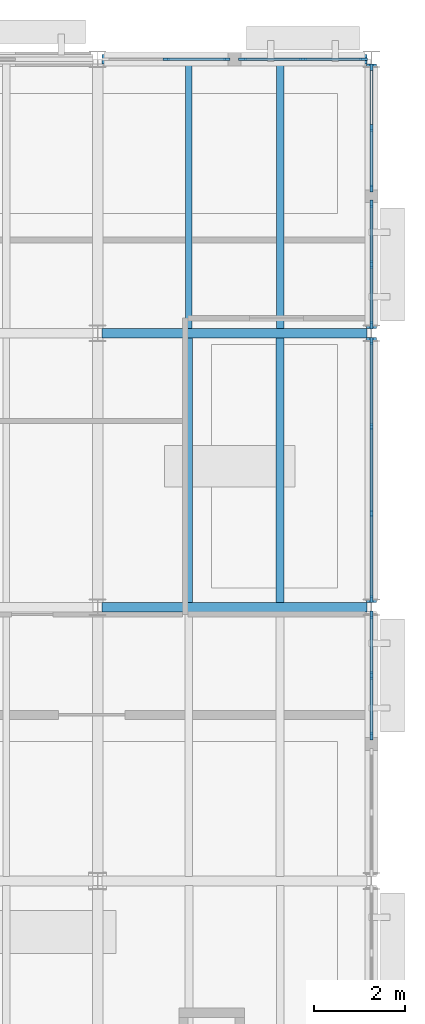
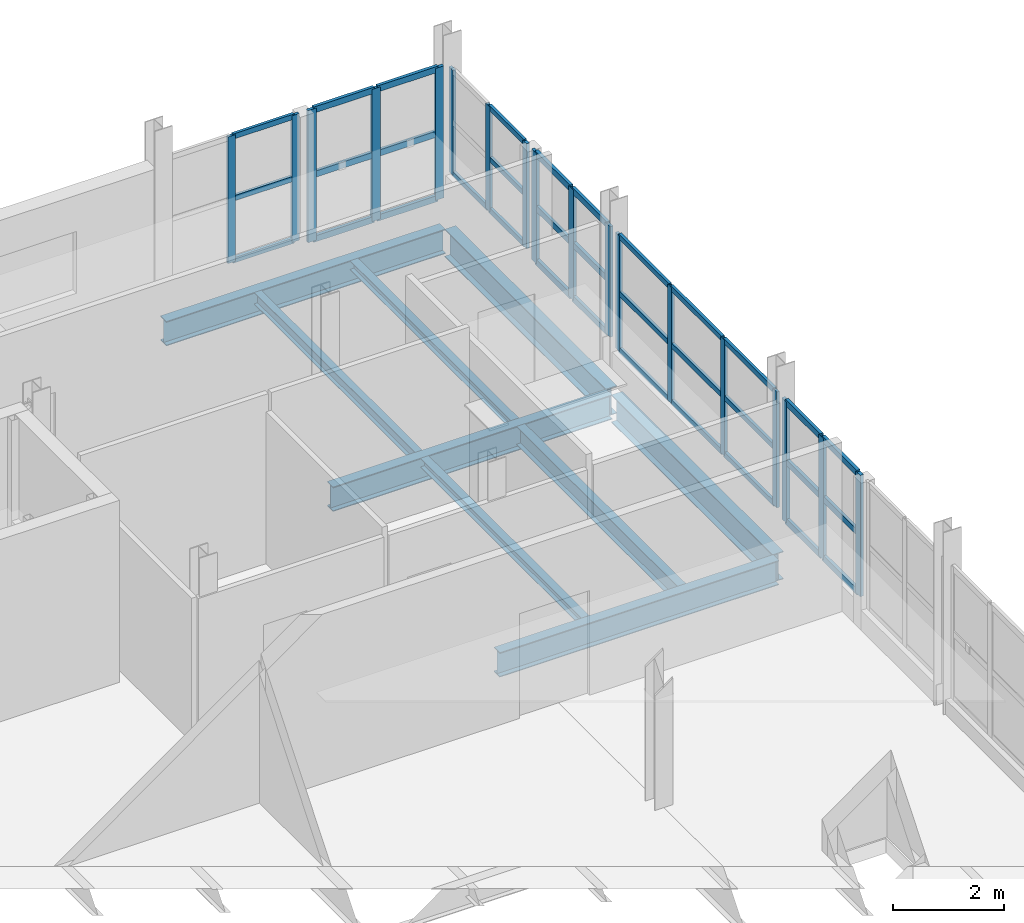
# One storey, part 44 of 92: 52 members, 9 beams, 6 elements without a shape of their own.
"""IFC4 building model written with IfcOpenShell, lengths in metres."""

from ifc_helpers import new_model, si_unit, direction, frame, origin, origin_2d, place, context, subcontext, project, spatial, rectangle, i_section, extrude, material, material_profile, profile_set, type_object, element, aggregate, save


model = new_model("IFC4")

# Units and contexts
model_context = context("Model", 3, precision=1e-05, world=origin(), true_north=direction((0.0, 1.0)))
body_context = subcontext(model_context, "Body", "Model", "MODEL_VIEW")
ifc_project = project(units=[si_unit("LENGTHUNIT", "METRE"), si_unit("AREAUNIT", "SQUARE_METRE"), si_unit("VOLUMEUNIT", "CUBIC_METRE"), si_unit("PLANEANGLEUNIT", "RADIAN"), si_unit("MASSUNIT", "GRAM", prefix="KILO")], contexts=[model_context])

# Site, building, storey
site_placement = place(None, origin())
site = spatial("IfcSite", under=ifc_project, at=site_placement, CompositionType="ELEMENT")
building_placement = place(site_placement, origin())
building = spatial("IfcBuilding", under=site, at=building_placement, Name="Siltcreek Boulevard Central Fire Station", CompositionType="ELEMENT")
storey_placement = place(building_placement, frame((0.0, 0.0, 6.0)))
storey = spatial("IfcBuildingStorey", under=building, at=storey_placement, Name="L02", CompositionType="ELEMENT", Elevation=6.0)

# Beams
ifc_material_1 = material(Name="Structural steel ASTM A992 Gr50", Category="steel")
ifc_material_profile_1 = material_profile(ifc_material_1, i_section(OverallWidth=0.2109375, OverallDepth=0.5390625, WebThickness=0.01171875, FlangeThickness=0.018798828125, at=origin_2d()), Name="W530X109")
ifc_profile_set_1 = profile_set([ifc_material_profile_1], Name="Structural steel ASTM A992 Gr50")
beam_type_1 = type_object("IfcBeamType", Name="BM_W530X109", PredefinedType="BEAM", material=ifc_profile_set_1)
for number, where, z_axis, x_axis, name in (
    (1, (160.300048828125, 100.199951171875, -0.589599609375), (1.0, 0.0, 0.0), (0.0, 1.0, 0.0), "L02 primary steel girder GX-0189"),
    (2, (160.300048828125, 106.199951171875, -0.589599609375), (1.0, 0.0, 0.0), (0.0, 1.0, 0.0), "L02 primary steel girder GX-0196"),
    (3, (160.300048828125, 112.199951171875, -0.589599609375), (1.0, 0.0, 0.0), (0.0, 1.0, 0.0), "L02 primary steel girder GX-0203"),
):
    element("IfcBeam", number, at=place(storey_placement, frame(where, z_axis=z_axis, x_axis=x_axis)), inside=storey, type_object=beam_type_1, Name=name, PredefinedType="BEAM", context=body_context, shape_type="SweptSolid", body=[
        extrude(i_section(OverallWidth=0.2109375, OverallDepth=0.5390625, WebThickness=0.01171875, FlangeThickness=0.018798828125, at=origin_2d()), origin(), (0.0, 0.0, 1.0), 5.800048828125),
    ])
ifc_material_profile_2 = material_profile(ifc_material_1, i_section(OverallWidth=0.22802734375, OverallDepth=0.60791015625, WebThickness=0.01123046875, FlangeThickness=0.017333984375, at=origin_2d()), Name="W610X113")
ifc_profile_set_2 = profile_set([ifc_material_profile_2], Name="Structural steel ASTM A992 Gr50")
beam_type_2 = type_object("IfcBeamType", Name="BM_W610X113", PredefinedType="BEAM", material=ifc_profile_set_2)
for number, where, z_axis, x_axis, name in (
    (4, (166.199951171875, 100.300048828125, -0.6240234375), (0.0, 1.0, 0.0), (-1.0, 0.0, 0.0), "L02 primary steel girder GY-0232"),
    (5, (166.199951171875, 106.300048828125, -0.6240234375), (0.0, 1.0, 0.0), (-1.0, 0.0, 0.0), "L02 primary steel girder GY-0233"),
):
    element("IfcBeam", number, at=place(storey_placement, frame(where, z_axis=z_axis, x_axis=x_axis)), inside=storey, type_object=beam_type_2, Name=name, PredefinedType="BEAM", context=body_context, shape_type="SweptSolid", body=[
        extrude(i_section(OverallWidth=0.22802734375, OverallDepth=0.60791015625, WebThickness=0.01123046875, FlangeThickness=0.017333984375, at=origin_2d()), origin(), (0.0, 0.0, 1.0), 5.800048828125),
    ])

# Curtain wall, members
ifc_material_2 = material(Name="Anodized aluminum and low-E insulated glazing", Category="aluminium")
curtain_wall_type_1 = type_object("IfcCurtainWallType", Name="CW_SYS_20", PredefinedType="USERDEFINED", material=ifc_material_2)
curtain_wall_1_placement = place(storey_placement, origin())
curtain_wall_1 = element("IfcCurtainWall", 6, at=curtain_wall_1_placement, inside=storey, type_object=curtain_wall_type_1, Name="L02 V5 unitised curtain wall CW-139", ObjectType="CURTAIN WALL", PredefinedType="USERDEFINED")
ifc_material_3 = material(Name="Anodized 6063-T6 aluminum framing", Category="aluminium")
ifc_material_profile_3 = material_profile(ifc_material_3, rectangle(XDim=0.06005859375, YDim=0.14990234375, at=origin_2d()), Name="MULL60X150")
ifc_profile_set_3 = profile_set([ifc_material_profile_3], Name="Anodized 6063-T6 aluminum framing")
member_type_1 = type_object("IfcMemberType", Name="CWM_60X150", PredefinedType="MULLION", material=ifc_profile_set_3)
member_1_placement = place(storey_placement, frame((163.030029296875, 112.199951171875, 0.43994140625), z_axis=(0.0, 0.0, 1.0), x_axis=(0.0, -1.0, 0.0)))
member_1 = element("IfcMember", 7, at=member_1_placement, type_object=member_type_1, Name="CW-139 mullion 1", PredefinedType="MULLION", context=body_context, shape_type="SweptSolid", body=[
    extrude(rectangle(XDim=0.06005859375, YDim=0.14990234375, at=origin_2d()), origin(), (0.0, 0.0, 1.0), 2.782958984375),
])
member_2_placement = place(storey_placement, frame((161.702392578125, 112.199951171875, 0.43994140625), z_axis=(0.0, 0.0, 1.0), x_axis=(0.0, -1.0, 0.0)))
member_2 = element("IfcMember", 8, at=member_2_placement, type_object=member_type_1, Name="CW-139 mullion 2", PredefinedType="MULLION", context=body_context, shape_type="SweptSolid", body=[
    extrude(rectangle(XDim=0.06005859375, YDim=0.14990234375, at=origin_2d()), origin(), (0.0, 0.0, 1.0), 2.782958984375),
])

curtain_wall_type_2 = type_object("IfcCurtainWallType", Name="CW_SYS_28", PredefinedType="USERDEFINED", material=ifc_material_2)
curtain_wall_2_placement = place(storey_placement, origin())
curtain_wall_2 = element("IfcCurtainWall", 9, at=curtain_wall_2_placement, inside=storey, type_object=curtain_wall_type_2, Name="L02 V5 unitised curtain wall CW-147", ObjectType="CURTAIN WALL", PredefinedType="USERDEFINED")
member_3_placement = place(storey_placement, frame((166.199951171875, 100.375, 0.679931640625), z_axis=(0.0, 0.0, 1.0), x_axis=(-1.0, 0.0, 0.0)))
member_3 = element("IfcMember", 10, at=member_3_placement, type_object=member_type_1, Name="CW-147 mullion 1", PredefinedType="MULLION", context=body_context, shape_type="SweptSolid", body=[
    extrude(rectangle(XDim=0.06005859375, YDim=0.14990234375, at=origin_2d()), origin(), (0.0, 0.0, 1.0), 2.547119140625),
])
member_4_placement = place(storey_placement, frame((166.199951171875, 102.248291015625, 0.679931640625), z_axis=(0.0, 0.0, 1.0), x_axis=(-1.0, 0.0, 0.0)))
member_4 = element("IfcMember", 11, at=member_4_placement, type_object=member_type_1, Name="CW-147 mullion 2", PredefinedType="MULLION", context=body_context, shape_type="SweptSolid", body=[
    extrude(rectangle(XDim=0.06005859375, YDim=0.14990234375, at=origin_2d()), origin(), (0.0, 0.0, 1.0), 2.547119140625),
])
member_5_placement = place(storey_placement, frame((166.199951171875, 104.151611328125, 0.679931640625), z_axis=(0.0, 0.0, 1.0), x_axis=(-1.0, 0.0, 0.0)))
member_5 = element("IfcMember", 12, at=member_5_placement, type_object=member_type_1, Name="CW-147 mullion 3", PredefinedType="MULLION", context=body_context, shape_type="SweptSolid", body=[
    extrude(rectangle(XDim=0.06005859375, YDim=0.14990234375, at=origin_2d()), origin(), (0.0, 0.0, 1.0), 2.547119140625),
])
member_6_placement = place(storey_placement, frame((166.199951171875, 106.02490234375, 0.679931640625), z_axis=(0.0, 0.0, 1.0), x_axis=(-1.0, 0.0, 0.0)))
member_6 = element("IfcMember", 13, at=member_6_placement, type_object=member_type_1, Name="CW-147 mullion 4", PredefinedType="MULLION", context=body_context, shape_type="SweptSolid", body=[
    extrude(rectangle(XDim=0.06005859375, YDim=0.14990234375, at=origin_2d()), origin(), (0.0, 0.0, 1.0), 2.547119140625),
])

curtain_wall_type_3 = type_object("IfcCurtainWallType", Name="CW_SYS_30", PredefinedType="USERDEFINED", material=ifc_material_2)
curtain_wall_3_placement = place(storey_placement, origin())
curtain_wall_3 = element("IfcCurtainWall", 14, at=curtain_wall_3_placement, inside=storey, type_object=curtain_wall_type_3, Name="L02 V5 unitised curtain wall CW-149", ObjectType="CURTAIN WALL", PredefinedType="USERDEFINED")
member_7_placement = place(storey_placement, frame((166.199951171875, 109.3701171875, 0.919921875), z_axis=(0.0, 0.0, 1.0), x_axis=(-1.0, 0.0, 0.0)))
member_7 = element("IfcMember", 15, at=member_7_placement, type_object=member_type_1, Name="CW-149 mullion 1", PredefinedType="MULLION", context=body_context, shape_type="SweptSolid", body=[
    extrude(rectangle(XDim=0.06005859375, YDim=0.14990234375, at=origin_2d()), origin(), (0.0, 0.0, 1.0), 2.30712890625),
])
member_8_placement = place(storey_placement, frame((166.199951171875, 110.697509765625, 0.919921875), z_axis=(0.0, 0.0, 1.0), x_axis=(-1.0, 0.0, 0.0)))
member_8 = element("IfcMember", 16, at=member_8_placement, type_object=member_type_1, Name="CW-149 mullion 2", PredefinedType="MULLION", context=body_context, shape_type="SweptSolid", body=[
    extrude(rectangle(XDim=0.06005859375, YDim=0.14990234375, at=origin_2d()), origin(), (0.0, 0.0, 1.0), 2.30712890625),
])
member_9_placement = place(storey_placement, frame((166.199951171875, 112.02490234375, 0.919921875), z_axis=(0.0, 0.0, 1.0), x_axis=(-1.0, 0.0, 0.0)))
member_9 = element("IfcMember", 17, at=member_9_placement, type_object=member_type_1, Name="CW-149 mullion 3", PredefinedType="MULLION", context=body_context, shape_type="SweptSolid", body=[
    extrude(rectangle(XDim=0.06005859375, YDim=0.14990234375, at=origin_2d()), origin(), (0.0, 0.0, 1.0), 2.30712890625),
])

curtain_wall_type_4 = type_object("IfcCurtainWallType", Name="CW_SYS_19", PredefinedType="USERDEFINED", material=ifc_material_2)
curtain_wall_4_placement = place(storey_placement, origin())
curtain_wall_4 = element("IfcCurtainWall", 18, at=curtain_wall_4_placement, inside=storey, type_object=curtain_wall_type_4, Name="L02 V5 unitised curtain wall CW-138", ObjectType="CURTAIN WALL", PredefinedType="USERDEFINED")
ifc_material_profile_4 = material_profile(ifc_material_3, rectangle(XDim=0.06494140625, YDim=0.175048828125, at=origin_2d()), Name="MULL65X175")
ifc_profile_set_4 = profile_set([ifc_material_profile_4], Name="Anodized 6063-T6 aluminum framing")
member_type_2 = type_object("IfcMemberType", Name="CWM_65X175", PredefinedType="MULLION", material=ifc_profile_set_4)
member_10_placement = place(storey_placement, frame((166.0224609375, 112.199951171875, 0.320068359375), z_axis=(0.0, 0.0, 1.0), x_axis=(0.0, -1.0, 0.0)))
member_10 = element("IfcMember", 19, at=member_10_placement, type_object=member_type_2, Name="CW-138 mullion 1", PredefinedType="MULLION", context=body_context, shape_type="SweptSolid", body=[
    extrude(rectangle(XDim=0.06494140625, YDim=0.175048828125, at=origin_2d()), origin(), (0.0, 0.0, 1.0), 2.90283203125),
])
member_11_placement = place(storey_placement, frame((164.697509765625, 112.199951171875, 0.320068359375), z_axis=(0.0, 0.0, 1.0), x_axis=(0.0, -1.0, 0.0)))
member_11 = element("IfcMember", 20, at=member_11_placement, type_object=member_type_2, Name="CW-138 mullion 2", PredefinedType="MULLION", context=body_context, shape_type="SweptSolid", body=[
    extrude(rectangle(XDim=0.06494140625, YDim=0.175048828125, at=origin_2d()), origin(), (0.0, 0.0, 1.0), 2.90283203125),
])
member_12_placement = place(storey_placement, frame((163.37255859375, 112.199951171875, 0.320068359375), z_axis=(0.0, 0.0, 1.0), x_axis=(0.0, -1.0, 0.0)))
member_12 = element("IfcMember", 21, at=member_12_placement, type_object=member_type_2, Name="CW-138 mullion 3", PredefinedType="MULLION", context=body_context, shape_type="SweptSolid", body=[
    extrude(rectangle(XDim=0.06494140625, YDim=0.175048828125, at=origin_2d()), origin(), (0.0, 0.0, 1.0), 2.90283203125),
])

curtain_wall_type_5 = type_object("IfcCurtainWallType", Name="CW_SYS_27", PredefinedType="USERDEFINED", material=ifc_material_2)
curtain_wall_5_placement = place(storey_placement, origin())
curtain_wall_5 = element("IfcCurtainWall", 22, at=curtain_wall_5_placement, inside=storey, type_object=curtain_wall_type_5, Name="L02 V5 unitised curtain wall CW-146", ObjectType="CURTAIN WALL", PredefinedType="USERDEFINED")
member_13_placement = place(storey_placement, frame((166.199951171875, 97.37255859375, 0.56005859375), z_axis=(0.0, 0.0, 1.0), x_axis=(-1.0, 0.0, 0.0)))
member_13 = element("IfcMember", 23, at=member_13_placement, type_object=member_type_2, Name="CW-146 mullion 1", PredefinedType="MULLION", context=body_context, shape_type="SweptSolid", body=[
    extrude(rectangle(XDim=0.06494140625, YDim=0.175048828125, at=origin_2d()), origin(), (0.0, 0.0, 1.0), 2.6669921875),
])
member_14_placement = place(storey_placement, frame((166.199951171875, 98.697509765625, 0.56005859375), z_axis=(0.0, 0.0, 1.0), x_axis=(-1.0, 0.0, 0.0)))
member_14 = element("IfcMember", 24, at=member_14_placement, type_object=member_type_2, Name="CW-146 mullion 2", PredefinedType="MULLION", context=body_context, shape_type="SweptSolid", body=[
    extrude(rectangle(XDim=0.06494140625, YDim=0.175048828125, at=origin_2d()), origin(), (0.0, 0.0, 1.0), 2.6669921875),
])
member_15_placement = place(storey_placement, frame((166.199951171875, 100.0224609375, 0.56005859375), z_axis=(0.0, 0.0, 1.0), x_axis=(-1.0, 0.0, 0.0)))
member_15 = element("IfcMember", 25, at=member_15_placement, type_object=member_type_2, Name="CW-146 mullion 3", PredefinedType="MULLION", context=body_context, shape_type="SweptSolid", body=[
    extrude(rectangle(XDim=0.06494140625, YDim=0.175048828125, at=origin_2d()), origin(), (0.0, 0.0, 1.0), 2.6669921875),
])

curtain_wall_type_6 = type_object("IfcCurtainWallType", Name="CW_SYS_29", PredefinedType="USERDEFINED", material=ifc_material_2)
curtain_wall_6_placement = place(storey_placement, origin())
curtain_wall_6 = element("IfcCurtainWall", 26, at=curtain_wall_6_placement, inside=storey, type_object=curtain_wall_type_6, Name="L02 V5 unitised curtain wall CW-148", ObjectType="CURTAIN WALL", PredefinedType="USERDEFINED")
member_16_placement = place(storey_placement, frame((166.199951171875, 106.37744140625, 0.800048828125), z_axis=(0.0, 0.0, 1.0), x_axis=(-1.0, 0.0, 0.0)))
member_16 = element("IfcMember", 27, at=member_16_placement, type_object=member_type_2, Name="CW-148 mullion 1", PredefinedType="MULLION", context=body_context, shape_type="SweptSolid", body=[
    extrude(rectangle(XDim=0.06494140625, YDim=0.175048828125, at=origin_2d()), origin(), (0.0, 0.0, 1.0), 2.427001953125),
])
member_17_placement = place(storey_placement, frame((166.199951171875, 107.702392578125, 0.800048828125), z_axis=(0.0, 0.0, 1.0), x_axis=(-1.0, 0.0, 0.0)))
member_17 = element("IfcMember", 28, at=member_17_placement, type_object=member_type_2, Name="CW-148 mullion 2", PredefinedType="MULLION", context=body_context, shape_type="SweptSolid", body=[
    extrude(rectangle(XDim=0.06494140625, YDim=0.175048828125, at=origin_2d()), origin(), (0.0, 0.0, 1.0), 2.427001953125),
])
member_18_placement = place(storey_placement, frame((166.199951171875, 109.027587890625, 0.800048828125), z_axis=(0.0, 0.0, 1.0), x_axis=(-1.0, 0.0, 0.0)))
member_18 = element("IfcMember", 29, at=member_18_placement, type_object=member_type_2, Name="CW-148 mullion 3", PredefinedType="MULLION", context=body_context, shape_type="SweptSolid", body=[
    extrude(rectangle(XDim=0.06494140625, YDim=0.175048828125, at=origin_2d()), origin(), (0.0, 0.0, 1.0), 2.427001953125),
])

# Member
ifc_material_profile_5 = material_profile(ifc_material_3, rectangle(XDim=0.06005859375, YDim=0.114990234375, at=origin_2d()), Name="TRAN60X115")
ifc_profile_set_5 = profile_set([ifc_material_profile_5], Name="Anodized 6063-T6 aluminum framing")
member_type_3 = type_object("IfcMemberType", Name="CWT_60X115", PredefinedType="USERDEFINED", material=ifc_profile_set_5)
member_19_placement = place(storey_placement, frame((163.0, 112.199951171875, 0.469970703125), z_axis=(-1.0, 0.0, 0.0), x_axis=(0.0, -1.0, 0.0)))
member_19 = element("IfcMember", 30, at=member_19_placement, type_object=member_type_3, Name="CW-139 transom 1.1", ObjectType="TRANSOM", PredefinedType="USERDEFINED", context=body_context, shape_type="SweptSolid", body=[
    extrude(rectangle(XDim=0.06005859375, YDim=0.114990234375, at=origin_2d()), origin(), (0.0, 0.0, 1.0), 1.267578125),
])

member_20_placement = place(storey_placement, frame((163.0, 112.199951171875, 1.83154296875), z_axis=(-1.0, 0.0, 0.0), x_axis=(0.0, -1.0, 0.0)))
member_20 = element("IfcMember", 31, at=member_20_placement, type_object=member_type_3, Name="CW-139 transom 1.2", ObjectType="TRANSOM", PredefinedType="USERDEFINED", context=body_context, shape_type="SweptSolid", body=[
    extrude(rectangle(XDim=0.06005859375, YDim=0.114990234375, at=origin_2d()), origin(), (0.0, 0.0, 1.0), 1.267578125),
])

member_21_placement = place(storey_placement, frame((163.0, 112.199951171875, 3.193115234375), z_axis=(-1.0, 0.0, 0.0), x_axis=(0.0, -1.0, 0.0)))
member_21 = element("IfcMember", 32, at=member_21_placement, type_object=member_type_3, Name="CW-139 transom 1.3", ObjectType="TRANSOM", PredefinedType="USERDEFINED", context=body_context, shape_type="SweptSolid", body=[
    extrude(rectangle(XDim=0.06005859375, YDim=0.114990234375, at=origin_2d()), origin(), (0.0, 0.0, 1.0), 1.267578125),
])

aggregate(curtain_wall_1, [member_1, member_2, member_19, member_20, member_21])

member_22_placement = place(storey_placement, frame((166.199951171875, 100.405029296875, 0.7099609375), z_axis=(0.0, 1.0, 0.0), x_axis=(-1.0, 0.0, 0.0)))
member_22 = element("IfcMember", 33, at=member_22_placement, type_object=member_type_3, Name="CW-147 transom 1.1", ObjectType="TRANSOM", PredefinedType="USERDEFINED", context=body_context, shape_type="SweptSolid", body=[
    extrude(rectangle(XDim=0.06005859375, YDim=0.114990234375, at=origin_2d()), origin(), (0.0, 0.0, 1.0), 1.813232421875),
])

member_23_placement = place(storey_placement, frame((166.199951171875, 100.405029296875, 1.95361328125), z_axis=(0.0, 1.0, 0.0), x_axis=(-1.0, 0.0, 0.0)))
member_23 = element("IfcMember", 34, at=member_23_placement, type_object=member_type_3, Name="CW-147 transom 1.2", ObjectType="TRANSOM", PredefinedType="USERDEFINED", context=body_context, shape_type="SweptSolid", body=[
    extrude(rectangle(XDim=0.06005859375, YDim=0.114990234375, at=origin_2d()), origin(), (0.0, 0.0, 1.0), 1.813232421875),
])

member_24_placement = place(storey_placement, frame((166.199951171875, 100.405029296875, 3.197021484375), z_axis=(0.0, 1.0, 0.0), x_axis=(-1.0, 0.0, 0.0)))
member_24 = element("IfcMember", 35, at=member_24_placement, type_object=member_type_3, Name="CW-147 transom 1.3", ObjectType="TRANSOM", PredefinedType="USERDEFINED", context=body_context, shape_type="SweptSolid", body=[
    extrude(rectangle(XDim=0.06005859375, YDim=0.114990234375, at=origin_2d()), origin(), (0.0, 0.0, 1.0), 1.813232421875),
])

member_25_placement = place(storey_placement, frame((166.199951171875, 102.2783203125, 0.7099609375), z_axis=(0.0, 1.0, 0.0), x_axis=(-1.0, 0.0, 0.0)))
member_25 = element("IfcMember", 36, at=member_25_placement, type_object=member_type_3, Name="CW-147 transom 2.1", ObjectType="TRANSOM", PredefinedType="USERDEFINED", context=body_context, shape_type="SweptSolid", body=[
    extrude(rectangle(XDim=0.06005859375, YDim=0.114990234375, at=origin_2d()), origin(), (0.0, 0.0, 1.0), 1.84326171875),
])

member_26_placement = place(storey_placement, frame((166.199951171875, 102.2783203125, 1.95361328125), z_axis=(0.0, 1.0, 0.0), x_axis=(-1.0, 0.0, 0.0)))
member_26 = element("IfcMember", 37, at=member_26_placement, type_object=member_type_3, Name="CW-147 transom 2.2", ObjectType="TRANSOM", PredefinedType="USERDEFINED", context=body_context, shape_type="SweptSolid", body=[
    extrude(rectangle(XDim=0.06005859375, YDim=0.114990234375, at=origin_2d()), origin(), (0.0, 0.0, 1.0), 1.84326171875),
])

member_27_placement = place(storey_placement, frame((166.199951171875, 102.2783203125, 3.197021484375), z_axis=(0.0, 1.0, 0.0), x_axis=(-1.0, 0.0, 0.0)))
member_27 = element("IfcMember", 38, at=member_27_placement, type_object=member_type_3, Name="CW-147 transom 2.3", ObjectType="TRANSOM", PredefinedType="USERDEFINED", context=body_context, shape_type="SweptSolid", body=[
    extrude(rectangle(XDim=0.06005859375, YDim=0.114990234375, at=origin_2d()), origin(), (0.0, 0.0, 1.0), 1.84326171875),
])

member_28_placement = place(storey_placement, frame((166.199951171875, 104.181640625, 0.7099609375), z_axis=(0.0, 1.0, 0.0), x_axis=(-1.0, 0.0, 0.0)))
member_28 = element("IfcMember", 39, at=member_28_placement, type_object=member_type_3, Name="CW-147 transom 3.1", ObjectType="TRANSOM", PredefinedType="USERDEFINED", context=body_context, shape_type="SweptSolid", body=[
    extrude(rectangle(XDim=0.06005859375, YDim=0.114990234375, at=origin_2d()), origin(), (0.0, 0.0, 1.0), 1.8134765625),
])

member_29_placement = place(storey_placement, frame((166.199951171875, 104.181640625, 1.95361328125), z_axis=(0.0, 1.0, 0.0), x_axis=(-1.0, 0.0, 0.0)))
member_29 = element("IfcMember", 40, at=member_29_placement, type_object=member_type_3, Name="CW-147 transom 3.2", ObjectType="TRANSOM", PredefinedType="USERDEFINED", context=body_context, shape_type="SweptSolid", body=[
    extrude(rectangle(XDim=0.06005859375, YDim=0.114990234375, at=origin_2d()), origin(), (0.0, 0.0, 1.0), 1.8134765625),
])

member_30_placement = place(storey_placement, frame((166.199951171875, 104.181640625, 3.197021484375), z_axis=(0.0, 1.0, 0.0), x_axis=(-1.0, 0.0, 0.0)))
member_30 = element("IfcMember", 41, at=member_30_placement, type_object=member_type_3, Name="CW-147 transom 3.3", ObjectType="TRANSOM", PredefinedType="USERDEFINED", context=body_context, shape_type="SweptSolid", body=[
    extrude(rectangle(XDim=0.06005859375, YDim=0.114990234375, at=origin_2d()), origin(), (0.0, 0.0, 1.0), 1.8134765625),
])

aggregate(curtain_wall_2, [member_3, member_4, member_5, member_6, member_22, member_23, member_24, member_25, member_26, member_27, member_28, member_29, member_30])

member_31_placement = place(storey_placement, frame((166.199951171875, 109.39990234375, 0.949951171875), z_axis=(0.0, 1.0, 0.0), x_axis=(-1.0, 0.0, 0.0)))
member_31 = element("IfcMember", 42, at=member_31_placement, type_object=member_type_3, Name="CW-149 transom 1.1", ObjectType="TRANSOM", PredefinedType="USERDEFINED", context=body_context, shape_type="SweptSolid", body=[
    extrude(rectangle(XDim=0.06005859375, YDim=0.114990234375, at=origin_2d()), origin(), (0.0, 0.0, 1.0), 1.267578125),
])

member_32_placement = place(storey_placement, frame((166.199951171875, 109.39990234375, 2.073486328125), z_axis=(0.0, 1.0, 0.0), x_axis=(-1.0, 0.0, 0.0)))
member_32 = element("IfcMember", 43, at=member_32_placement, type_object=member_type_3, Name="CW-149 transom 1.2", ObjectType="TRANSOM", PredefinedType="USERDEFINED", context=body_context, shape_type="SweptSolid", body=[
    extrude(rectangle(XDim=0.06005859375, YDim=0.114990234375, at=origin_2d()), origin(), (0.0, 0.0, 1.0), 1.267578125),
])

member_33_placement = place(storey_placement, frame((166.199951171875, 109.39990234375, 3.197021484375), z_axis=(0.0, 1.0, 0.0), x_axis=(-1.0, 0.0, 0.0)))
member_33 = element("IfcMember", 44, at=member_33_placement, type_object=member_type_3, Name="CW-149 transom 1.3", ObjectType="TRANSOM", PredefinedType="USERDEFINED", context=body_context, shape_type="SweptSolid", body=[
    extrude(rectangle(XDim=0.06005859375, YDim=0.114990234375, at=origin_2d()), origin(), (0.0, 0.0, 1.0), 1.267578125),
])

member_34_placement = place(storey_placement, frame((166.199951171875, 110.7275390625, 0.949951171875), z_axis=(0.0, 1.0, 0.0), x_axis=(-1.0, 0.0, 0.0)))
member_34 = element("IfcMember", 45, at=member_34_placement, type_object=member_type_3, Name="CW-149 transom 2.1", ObjectType="TRANSOM", PredefinedType="USERDEFINED", context=body_context, shape_type="SweptSolid", body=[
    extrude(rectangle(XDim=0.06005859375, YDim=0.114990234375, at=origin_2d()), origin(), (0.0, 0.0, 1.0), 1.267578125),
])

aggregate(curtain_wall_3, [member_7, member_8, member_9, member_31, member_32, member_33, member_34])

ifc_material_profile_6 = material_profile(ifc_material_3, rectangle(XDim=0.06494140625, YDim=0.135009765625, at=origin_2d()), Name="TRAN65X135")
ifc_profile_set_6 = profile_set([ifc_material_profile_6], Name="Anodized 6063-T6 aluminum framing")
member_type_4 = type_object("IfcMemberType", Name="CWT_65X135", PredefinedType="USERDEFINED", material=ifc_profile_set_6)
member_35_placement = place(storey_placement, frame((165.989990234375, 112.199951171875, 0.3525390625), z_axis=(-1.0, 0.0, 0.0), x_axis=(0.0, -1.0, 0.0)))
member_35 = element("IfcMember", 46, at=member_35_placement, type_object=member_type_4, Name="CW-138 transom 1.1", ObjectType="TRANSOM", PredefinedType="USERDEFINED", context=body_context, shape_type="SweptSolid", body=[
    extrude(rectangle(XDim=0.06494140625, YDim=0.135009765625, at=origin_2d()), origin(), (0.0, 0.0, 1.0), 1.260009765625),
])

member_36_placement = place(storey_placement, frame((165.989990234375, 112.199951171875, 1.771484375), z_axis=(-1.0, 0.0, 0.0), x_axis=(0.0, -1.0, 0.0)))
member_36 = element("IfcMember", 47, at=member_36_placement, type_object=member_type_4, Name="CW-138 transom 1.2", ObjectType="TRANSOM", PredefinedType="USERDEFINED", context=body_context, shape_type="SweptSolid", body=[
    extrude(rectangle(XDim=0.06494140625, YDim=0.135009765625, at=origin_2d()), origin(), (0.0, 0.0, 1.0), 1.260009765625),
])

member_37_placement = place(storey_placement, frame((165.989990234375, 112.199951171875, 3.1904296875), z_axis=(-1.0, 0.0, 0.0), x_axis=(0.0, -1.0, 0.0)))
member_37 = element("IfcMember", 48, at=member_37_placement, type_object=member_type_4, Name="CW-138 transom 1.3", ObjectType="TRANSOM", PredefinedType="USERDEFINED", context=body_context, shape_type="SweptSolid", body=[
    extrude(rectangle(XDim=0.06494140625, YDim=0.135009765625, at=origin_2d()), origin(), (0.0, 0.0, 1.0), 1.260009765625),
])

member_38_placement = place(storey_placement, frame((164.6650390625, 112.199951171875, 0.3525390625), z_axis=(-1.0, 0.0, 0.0), x_axis=(0.0, -1.0, 0.0)))
member_38 = element("IfcMember", 49, at=member_38_placement, type_object=member_type_4, Name="CW-138 transom 2.1", ObjectType="TRANSOM", PredefinedType="USERDEFINED", context=body_context, shape_type="SweptSolid", body=[
    extrude(rectangle(XDim=0.06494140625, YDim=0.135009765625, at=origin_2d()), origin(), (0.0, 0.0, 1.0), 1.260009765625),
])

member_39_placement = place(storey_placement, frame((164.6650390625, 112.199951171875, 1.771484375), z_axis=(-1.0, 0.0, 0.0), x_axis=(0.0, -1.0, 0.0)))
member_39 = element("IfcMember", 50, at=member_39_placement, type_object=member_type_4, Name="CW-138 transom 2.2", ObjectType="TRANSOM", PredefinedType="USERDEFINED", context=body_context, shape_type="SweptSolid", body=[
    extrude(rectangle(XDim=0.06494140625, YDim=0.135009765625, at=origin_2d()), origin(), (0.0, 0.0, 1.0), 1.260009765625),
])

member_40_placement = place(storey_placement, frame((164.6650390625, 112.199951171875, 3.1904296875), z_axis=(-1.0, 0.0, 0.0), x_axis=(0.0, -1.0, 0.0)))
member_40 = element("IfcMember", 51, at=member_40_placement, type_object=member_type_4, Name="CW-138 transom 2.3", ObjectType="TRANSOM", PredefinedType="USERDEFINED", context=body_context, shape_type="SweptSolid", body=[
    extrude(rectangle(XDim=0.06494140625, YDim=0.135009765625, at=origin_2d()), origin(), (0.0, 0.0, 1.0), 1.260009765625),
])

aggregate(curtain_wall_4, [member_10, member_11, member_12, member_35, member_36, member_37, member_38, member_39, member_40])

member_41_placement = place(storey_placement, frame((166.199951171875, 97.405029296875, 0.592529296875), z_axis=(0.0, 1.0, 0.0), x_axis=(-1.0, 0.0, 0.0)))
member_41 = element("IfcMember", 52, at=member_41_placement, type_object=member_type_4, Name="CW-146 transom 1.1", ObjectType="TRANSOM", PredefinedType="USERDEFINED", context=body_context, shape_type="SweptSolid", body=[
    extrude(rectangle(XDim=0.06494140625, YDim=0.135009765625, at=origin_2d()), origin(), (0.0, 0.0, 1.0), 1.260009765625),
])

member_42_placement = place(storey_placement, frame((166.199951171875, 97.405029296875, 1.8935546875), z_axis=(0.0, 1.0, 0.0), x_axis=(-1.0, 0.0, 0.0)))
member_42 = element("IfcMember", 53, at=member_42_placement, type_object=member_type_4, Name="CW-146 transom 1.2", ObjectType="TRANSOM", PredefinedType="USERDEFINED", context=body_context, shape_type="SweptSolid", body=[
    extrude(rectangle(XDim=0.06494140625, YDim=0.135009765625, at=origin_2d()), origin(), (0.0, 0.0, 1.0), 1.260009765625),
])

member_43_placement = place(storey_placement, frame((166.199951171875, 97.405029296875, 3.194580078125), z_axis=(0.0, 1.0, 0.0), x_axis=(-1.0, 0.0, 0.0)))
member_43 = element("IfcMember", 54, at=member_43_placement, type_object=member_type_4, Name="CW-146 transom 1.3", ObjectType="TRANSOM", PredefinedType="USERDEFINED", context=body_context, shape_type="SweptSolid", body=[
    extrude(rectangle(XDim=0.06494140625, YDim=0.135009765625, at=origin_2d()), origin(), (0.0, 0.0, 1.0), 1.260009765625),
])

member_44_placement = place(storey_placement, frame((166.199951171875, 98.72998046875, 0.592529296875), z_axis=(0.0, 1.0, 0.0), x_axis=(-1.0, 0.0, 0.0)))
member_44 = element("IfcMember", 55, at=member_44_placement, type_object=member_type_4, Name="CW-146 transom 2.1", ObjectType="TRANSOM", PredefinedType="USERDEFINED", context=body_context, shape_type="SweptSolid", body=[
    extrude(rectangle(XDim=0.06494140625, YDim=0.135009765625, at=origin_2d()), origin(), (0.0, 0.0, 1.0), 1.260009765625),
])

member_45_placement = place(storey_placement, frame((166.199951171875, 98.72998046875, 1.8935546875), z_axis=(0.0, 1.0, 0.0), x_axis=(-1.0, 0.0, 0.0)))
member_45 = element("IfcMember", 56, at=member_45_placement, type_object=member_type_4, Name="CW-146 transom 2.2", ObjectType="TRANSOM", PredefinedType="USERDEFINED", context=body_context, shape_type="SweptSolid", body=[
    extrude(rectangle(XDim=0.06494140625, YDim=0.135009765625, at=origin_2d()), origin(), (0.0, 0.0, 1.0), 1.260009765625),
])

member_46_placement = place(storey_placement, frame((166.199951171875, 98.72998046875, 3.194580078125), z_axis=(0.0, 1.0, 0.0), x_axis=(-1.0, 0.0, 0.0)))
member_46 = element("IfcMember", 57, at=member_46_placement, type_object=member_type_4, Name="CW-146 transom 2.3", ObjectType="TRANSOM", PredefinedType="USERDEFINED", context=body_context, shape_type="SweptSolid", body=[
    extrude(rectangle(XDim=0.06494140625, YDim=0.135009765625, at=origin_2d()), origin(), (0.0, 0.0, 1.0), 1.260009765625),
])

aggregate(curtain_wall_5, [member_13, member_14, member_15, member_41, member_42, member_43, member_44, member_45, member_46])

member_47_placement = place(storey_placement, frame((166.199951171875, 106.409912109375, 0.83251953125), z_axis=(0.0, 1.0, 0.0), x_axis=(-1.0, 0.0, 0.0)))
member_47 = element("IfcMember", 58, at=member_47_placement, type_object=member_type_4, Name="CW-148 transom 1.1", ObjectType="TRANSOM", PredefinedType="USERDEFINED", context=body_context, shape_type="SweptSolid", body=[
    extrude(rectangle(XDim=0.06494140625, YDim=0.135009765625, at=origin_2d()), origin(), (0.0, 0.0, 1.0), 1.260009765625),
])

member_48_placement = place(storey_placement, frame((166.199951171875, 106.409912109375, 2.013427734375), z_axis=(0.0, 1.0, 0.0), x_axis=(-1.0, 0.0, 0.0)))
member_48 = element("IfcMember", 59, at=member_48_placement, type_object=member_type_4, Name="CW-148 transom 1.2", ObjectType="TRANSOM", PredefinedType="USERDEFINED", context=body_context, shape_type="SweptSolid", body=[
    extrude(rectangle(XDim=0.06494140625, YDim=0.135009765625, at=origin_2d()), origin(), (0.0, 0.0, 1.0), 1.260009765625),
])

member_49_placement = place(storey_placement, frame((166.199951171875, 106.409912109375, 3.194580078125), z_axis=(0.0, 1.0, 0.0), x_axis=(-1.0, 0.0, 0.0)))
member_49 = element("IfcMember", 60, at=member_49_placement, type_object=member_type_4, Name="CW-148 transom 1.3", ObjectType="TRANSOM", PredefinedType="USERDEFINED", context=body_context, shape_type="SweptSolid", body=[
    extrude(rectangle(XDim=0.06494140625, YDim=0.135009765625, at=origin_2d()), origin(), (0.0, 0.0, 1.0), 1.260009765625),
])

member_50_placement = place(storey_placement, frame((166.199951171875, 107.735107421875, 0.83251953125), z_axis=(0.0, 1.0, 0.0), x_axis=(-1.0, 0.0, 0.0)))
member_50 = element("IfcMember", 61, at=member_50_placement, type_object=member_type_4, Name="CW-148 transom 2.1", ObjectType="TRANSOM", PredefinedType="USERDEFINED", context=body_context, shape_type="SweptSolid", body=[
    extrude(rectangle(XDim=0.06494140625, YDim=0.135009765625, at=origin_2d()), origin(), (0.0, 0.0, 1.0), 1.260009765625),
])

member_51_placement = place(storey_placement, frame((166.199951171875, 107.735107421875, 2.013427734375), z_axis=(0.0, 1.0, 0.0), x_axis=(-1.0, 0.0, 0.0)))
member_51 = element("IfcMember", 62, at=member_51_placement, type_object=member_type_4, Name="CW-148 transom 2.2", ObjectType="TRANSOM", PredefinedType="USERDEFINED", context=body_context, shape_type="SweptSolid", body=[
    extrude(rectangle(XDim=0.06494140625, YDim=0.135009765625, at=origin_2d()), origin(), (0.0, 0.0, 1.0), 1.260009765625),
])

member_52_placement = place(storey_placement, frame((166.199951171875, 107.735107421875, 3.194580078125), z_axis=(0.0, 1.0, 0.0), x_axis=(-1.0, 0.0, 0.0)))
member_52 = element("IfcMember", 63, at=member_52_placement, type_object=member_type_4, Name="CW-148 transom 2.3", ObjectType="TRANSOM", PredefinedType="USERDEFINED", context=body_context, shape_type="SweptSolid", body=[
    extrude(rectangle(XDim=0.06494140625, YDim=0.135009765625, at=origin_2d()), origin(), (0.0, 0.0, 1.0), 1.260009765625),
])

aggregate(curtain_wall_6, [member_16, member_17, member_18, member_47, member_48, member_49, member_50, member_51, member_52])

# Beams
ifc_material_profile_7 = material_profile(ifc_material_1, i_section(OverallWidth=0.1650390625, OverallDepth=0.200927734375, WebThickness=0.006103515625, FlangeThickness=0.01025390625, at=origin_2d()), Name="W200X36")
ifc_profile_set_7 = profile_set([ifc_material_profile_7], Name="Structural steel ASTM A992 Gr50")
beam_type_3 = type_object("IfcBeamType", Name="JST_W200X36", PredefinedType="JOIST", material=ifc_profile_set_7)
for number, where, z_axis, x_axis, name in (
    (64, (162.199951171875, 100.303466796875, -0.42041015625), (0.0, 1.0, 0.0), (-1.0, 0.0, 0.0), "L02 secondary steel floor joist 0177"),
    (65, (164.199951171875, 106.303466796875, -0.42041015625), (0.0, 1.0, 0.0), (-1.0, 0.0, 0.0), "L02 secondary steel floor joist 0192"),
):
    element("IfcBeam", number, at=place(storey_placement, frame(where, z_axis=z_axis, x_axis=x_axis)), inside=storey, type_object=beam_type_3, Name=name, PredefinedType="JOIST", context=body_context, shape_type="SweptSolid", body=[
        extrude(i_section(OverallWidth=0.1650390625, OverallDepth=0.200927734375, WebThickness=0.006103515625, FlangeThickness=0.01025390625, at=origin_2d()), origin(), (0.0, 0.0, 1.0), 5.79296875),
    ])
ifc_material_profile_8 = material_profile(ifc_material_1, i_section(OverallWidth=0.14697265625, OverallDepth=0.261962890625, WebThickness=0.006591796875, FlangeThickness=0.01123046875, at=origin_2d()), Name="W250X39")
ifc_profile_set_8 = profile_set([ifc_material_profile_8], Name="Structural steel ASTM A992 Gr50")
beam_type_4 = type_object("IfcBeamType", Name="JST_W250X39", PredefinedType="JOIST", material=ifc_profile_set_8)
beam_1_placement = place(storey_placement, frame((162.199951171875, 106.303466796875, -0.450927734375), z_axis=(0.0, 1.0, 0.0), x_axis=(-1.0, 0.0, 0.0)))
element("IfcBeam", 66, at=beam_1_placement, inside=storey, type_object=beam_type_4, Name="L02 secondary steel floor joist 0191", PredefinedType="JOIST", context=body_context, shape_type="SweptSolid", body=[
    extrude(i_section(OverallWidth=0.14697265625, OverallDepth=0.261962890625, WebThickness=0.006591796875, FlangeThickness=0.01123046875, at=origin_2d()), origin(), (0.0, 0.0, 1.0), 5.79296875),
])
ifc_material_profile_9 = material_profile(ifc_material_1, i_section(OverallWidth=0.177001953125, OverallDepth=0.403076171875, WebThickness=0.007568359375, FlangeThickness=0.010986328125, at=origin_2d()), Name="W410X53")
ifc_profile_set_9 = profile_set([ifc_material_profile_9], Name="Structural steel ASTM A992 Gr50")
beam_type_5 = type_object("IfcBeamType", Name="JST_W410X53", PredefinedType="JOIST", material=ifc_profile_set_9)
beam_2_placement = place(storey_placement, frame((164.199951171875, 100.303466796875, -0.521484375), z_axis=(0.0, 1.0, 0.0), x_axis=(-1.0, 0.0, 0.0)))
element("IfcBeam", 67, at=beam_2_placement, inside=storey, type_object=beam_type_5, Name="L02 secondary steel floor joist 0178", PredefinedType="JOIST", context=body_context, shape_type="SweptSolid", body=[
    extrude(i_section(OverallWidth=0.177001953125, OverallDepth=0.403076171875, WebThickness=0.007568359375, FlangeThickness=0.010986328125, at=origin_2d()), origin(), (0.0, 0.0, 1.0), 5.79296875),
])

save(model, "model.ifc")
